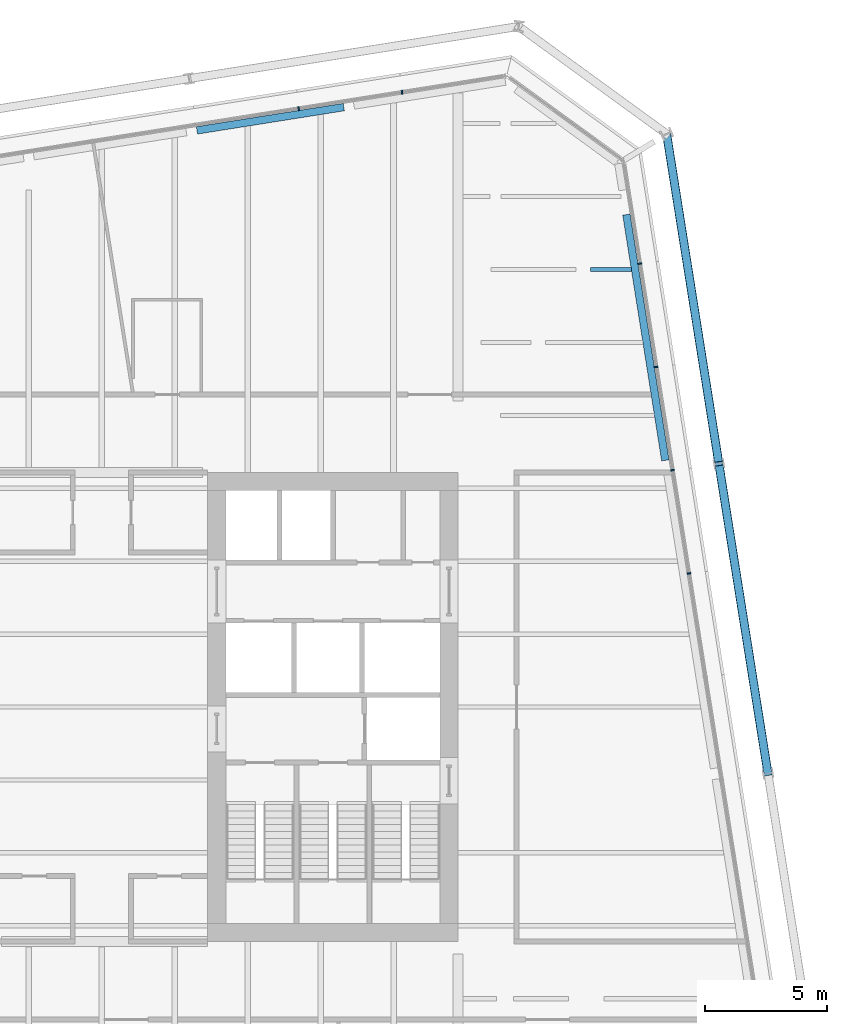
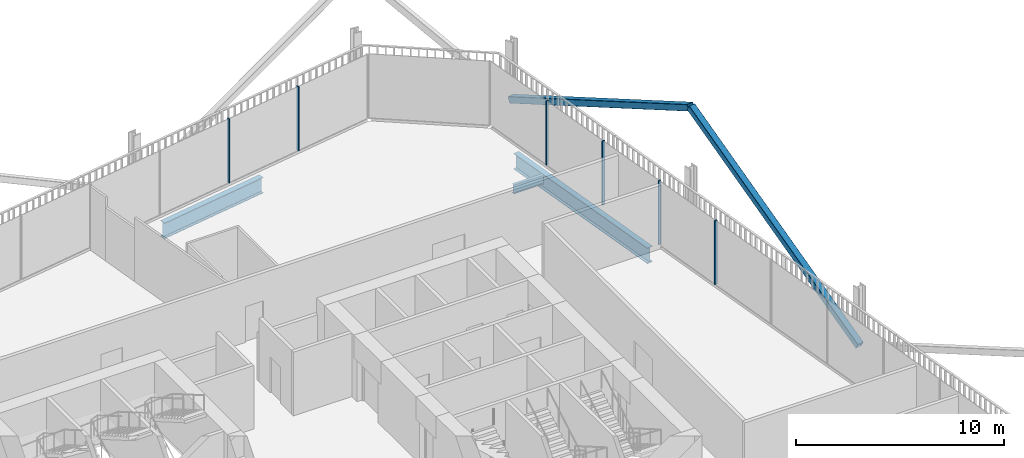
# One storey, part 12 of 19: 8 members, 3 beams, 2 elements without a shape of their own.
"""IFC4 building model written with IfcOpenShell, lengths in metres."""

from ifc_helpers import new_model, si_unit, direction, frame, origin, origin_2d, place, context, subcontext, project, spatial, rectangle, hollow_rectangle, i_section, extrude, material, layer, layer_set, material_profile, profile_set, type_object, element, aggregate, save


model = new_model("IFC4")

# Units and contexts
model_context = context("Model", 3, precision=1e-05, world=origin(), true_north=direction((0.0, 1.0)))
body_context = subcontext(model_context, "Body", "Model", "MODEL_VIEW")
ifc_project = project(units=[si_unit("LENGTHUNIT", "METRE"), si_unit("AREAUNIT", "SQUARE_METRE"), si_unit("VOLUMEUNIT", "CUBIC_METRE"), si_unit("PLANEANGLEUNIT", "RADIAN"), si_unit("MASSUNIT", "GRAM", prefix="KILO")], contexts=[model_context])

# Site, building, storey
site_placement = place(None, origin())
site = spatial("IfcSite", under=ifc_project, at=site_placement, CompositionType="ELEMENT")
building_placement = place(site_placement, origin())
building = spatial("IfcBuilding", under=site, at=building_placement, Name="Millrace Tower", CompositionType="ELEMENT")
storey_placement = place(building_placement, frame((0.0, 0.0, 129.5)))
storey = spatial("IfcBuildingStorey", under=building, at=storey_placement, Name="L28", CompositionType="ELEMENT", Elevation=129.5)

# Curtain wall, members
ifc_material_1 = material(Name="Aluminium and glass", Category="aluminium")
ifc_layer = layer(ifc_material_1, 0.14990234375)
ifc_layer_set = layer_set([ifc_layer], Name="Aluminium and glass")
curtain_wall_type = type_object("IfcCurtainWallType", Name="CW-1 office vision curtain wall", PredefinedType="NOTDEFINED", material=ifc_layer_set)
placement = place(storey_placement, origin())
curtain_wall_1 = element("IfcCurtainWall", 1, at=placement, inside=storey, type_object=curtain_wall_type, Name="Curtain wall C-F04 L28", PredefinedType="NOTDEFINED")
ifc_material_2 = material(Name="Aluminium", Category="aluminium")
ifc_material_profile_1 = material_profile(ifc_material_2, rectangle(XDim=0.06494140625, YDim=0.14990234375, at=origin_2d()))
ifc_profile_set_1 = profile_set([ifc_material_profile_1], Name="Aluminium")
member_type_1 = type_object("IfcMemberType", Name="CW-1 office vision curtain wall mullion", PredefinedType="MULLION", material=ifc_profile_set_1)
member_1_placement = place(storey_placement, frame((24.143310546875, 5.49365234375, 0.139892578125), z_axis=(0.0, 0.0, 1.0), x_axis=(-0.15643447328, 0.98768833929, 0.0)))
member_1 = element("IfcMember", 2, at=member_1_placement, type_object=member_type_1, Name="CW1 mullion C-F04.6", PredefinedType="MULLION", context=body_context, shape_type="SweptSolid", body=[
    extrude(rectangle(XDim=0.06494140625, YDim=0.14990234375, at=origin_2d()), origin(), (0.0, 0.0, 1.0), 3.760009765625),
])
member_2_placement = place(storey_placement, frame((23.470703125, 9.74072265625, 0.139892578125), z_axis=(0.0, 0.0, 1.0), x_axis=(-0.15643447328, 0.98768833929, 0.0)))
member_2 = element("IfcMember", 3, at=member_2_placement, type_object=member_type_1, Name="CW1 mullion C-F04.7", PredefinedType="MULLION", context=body_context, shape_type="SweptSolid", body=[
    extrude(rectangle(XDim=0.06494140625, YDim=0.14990234375, at=origin_2d()), origin(), (0.0, 0.0, 1.0), 3.760009765625),
])
member_3_placement = place(storey_placement, frame((22.798095703125, 13.98779296875, 0.139892578125), z_axis=(0.0, 0.0, 1.0), x_axis=(-0.15643447328, 0.98768833929, 0.0)))
member_3 = element("IfcMember", 4, at=member_3_placement, type_object=member_type_1, Name="CW1 mullion C-F04.8", PredefinedType="MULLION", context=body_context, shape_type="SweptSolid", body=[
    extrude(rectangle(XDim=0.06494140625, YDim=0.14990234375, at=origin_2d()), origin(), (0.0, 0.0, 1.0), 3.760009765625),
])
member_4_placement = place(storey_placement, frame((22.125244140625, 18.23486328125, 0.139892578125), z_axis=(0.0, 0.0, 1.0), x_axis=(-0.15643447328, 0.98768833929, 0.0)))
member_4 = element("IfcMember", 5, at=member_4_placement, type_object=member_type_1, Name="CW1 mullion C-F04.9", PredefinedType="MULLION", context=body_context, shape_type="SweptSolid", body=[
    extrude(rectangle(XDim=0.06494140625, YDim=0.14990234375, at=origin_2d()), origin(), (0.0, 0.0, 1.0), 3.760009765625),
])
aggregate(curtain_wall_1, [member_1, member_2, member_3, member_4])

curtain_wall_2 = element("IfcCurtainWall", 6, at=placement, inside=storey, type_object=curtain_wall_type, Name="Curtain wall C-F06 L28", PredefinedType="NOTDEFINED")
member_5_placement = place(storey_placement, frame((12.3447265625, 25.283935546875, 0.139892578125), z_axis=(0.0, 0.0, 1.0), x_axis=(-0.98768833929, -0.15643447328, 0.0)))
member_5 = element("IfcMember", 7, at=member_5_placement, type_object=member_type_1, Name="CW1 mullion C-F06.2", PredefinedType="MULLION", context=body_context, shape_type="SweptSolid", body=[
    extrude(rectangle(XDim=0.06494140625, YDim=0.14990234375, at=origin_2d()), origin(), (0.0, 0.0, 1.0), 3.760009765625),
])
member_6_placement = place(storey_placement, frame((8.09765625, 24.611328125, 0.139892578125), z_axis=(0.0, 0.0, 1.0), x_axis=(-0.98768833929, -0.15643447328, 0.0)))
member_6 = element("IfcMember", 8, at=member_6_placement, type_object=member_type_1, Name="CW1 mullion C-F06.3", PredefinedType="MULLION", context=body_context, shape_type="SweptSolid", body=[
    extrude(rectangle(XDim=0.06494140625, YDim=0.14990234375, at=origin_2d()), origin(), (0.0, 0.0, 1.0), 3.760009765625),
])
aggregate(curtain_wall_2, [member_5, member_6])

# Members
ifc_material_3 = material(Name="Steel ASTM A500 Grade C", Category="steel")
ifc_material_profile_2 = material_profile(ifc_material_3, hollow_rectangle(XDim=0.355712890625, YDim=0.355712890625, WallThickness=0.015869140625, InnerFilletRadius=0.008056640625, OuterFilletRadius=0.02392578125, at=origin_2d()))
ifc_profile_set_2 = profile_set([ifc_material_profile_2], Name="Steel ASTM A500 Grade C")
member_type_2 = type_object("IfcMemberType", Name="Exoskeleton brace HSS14x14x5/8", PredefinedType="BRACE", material=ifc_profile_set_2)
member_7_placement = place(storey_placement, frame((27.39501953125, -2.7314453125, 0.39990234375), z_axis=(-0.137499609887, 0.868113917345, 0.476940335673), x_axis=(-0.987687659758, -0.156438763615, 0.0)))
element("IfcMember", 9, at=member_7_placement, inside=storey, type_object=member_type_2, Name="BRC-C-L28-07", PredefinedType="BRACE", context=body_context, shape_type="SweptSolid", body=[
    extrude(hollow_rectangle(XDim=0.355712890625, YDim=0.355712890625, WallThickness=0.015869140625, InnerFilletRadius=0.008056640625, OuterFilletRadius=0.02392578125, at=origin_2d()), origin(), (0.0, 0.0, 1.0), 14.677001953125),
])
member_8_placement = place(storey_placement, frame((23.2294921875, 23.569091796875, 0.39990234375), z_axis=(0.139355372932, -0.879906554943, 0.454251620363), x_axis=(0.987689751328, 0.156425557764, 0.0)))
element("IfcMember", 10, at=member_8_placement, inside=storey, type_object=member_type_2, Name="BRC-C-L28-08", PredefinedType="BRACE", context=body_context, shape_type="SweptSolid", body=[
    extrude(hollow_rectangle(XDim=0.355712890625, YDim=0.355712890625, WallThickness=0.015869140625, InnerFilletRadius=0.008056640625, OuterFilletRadius=0.02392578125, at=origin_2d()), origin(), (0.0, 0.0, 1.0), 15.409912109375),
])

# Beams
ifc_material_4 = material(Name="Steel ASTM A992 Grade 50", Category="steel")
ifc_material_profile_3 = material_profile(ifc_material_4, i_section(OverallWidth=0.1650390625, OverallDepth=0.52587890625, WebThickness=0.0087890625, FlangeThickness=0.011474609375, FilletRadius=0.0126953125, at=origin_2d()))
ifc_profile_set_3 = profile_set([ifc_material_profile_3], Name="Steel ASTM A992 Grade 50")
beam_type_1 = type_object("IfcBeamType", Name="Floor beam W21x44", PredefinedType="JOIST", material=ifc_profile_set_3)
beam_1_placement = place(storey_placement, frame((20.097412109375, 18.0, -0.4228515625), z_axis=(1.0, 0.0, 0.0), x_axis=(0.0, 1.0, 0.0)))
element("IfcBeam", 11, at=beam_1_placement, inside=storey, type_object=beam_type_1, Name="BM-C-L28-S1-S036-b", PredefinedType="JOIST", context=body_context, shape_type="SweptSolid", body=[
    extrude(i_section(OverallWidth=0.1650390625, OverallDepth=0.52587890625, WebThickness=0.0087890625, FlangeThickness=0.011474609375, FilletRadius=0.0126953125, at=origin_2d()), origin(), (0.0, 0.0, 1.0), 1.677978515625),
])
ifc_material_5 = material(Name="Steel ASTM A992 Grade 50", Category="steel")
ifc_material_profile_4 = material_profile(ifc_material_5, i_section(OverallWidth=0.307373046875, OverallDepth=0.927001953125, WebThickness=0.01953125, FlangeThickness=0.031982421875, FilletRadius=0.01904296875, at=origin_2d()))
ifc_profile_set_4 = profile_set([ifc_material_profile_4], Name="Steel ASTM A992 Grade 50")
beam_type_2 = type_object("IfcBeamType", Name="Ring beam short span W36x194", PredefinedType="SPANDREL", material=ifc_profile_set_4)
beam_2_placement = place(storey_placement, frame((3.910400390625, 23.716552734375, -0.62353515625), z_axis=(0.987685808064, 0.156450453975, 0.0), x_axis=(-0.156450453975, 0.987685808064, 0.0)))
element("IfcBeam", 12, at=beam_2_placement, inside=storey, type_object=beam_type_2, Name="RNG-C-L28-S1-07-a", PredefinedType="SPANDREL", context=body_context, shape_type="SweptSolid", body=[
    extrude(i_section(OverallWidth=0.307373046875, OverallDepth=0.927001953125, WebThickness=0.01953125, FlangeThickness=0.031982421875, FilletRadius=0.01904296875, at=origin_2d()), origin(), (0.0, 0.0, 1.0), 6.115478515625),
])
beam_3_placement = place(storey_placement, frame((21.573974609375, 20.25341796875, -0.62353515625), z_axis=(0.15644282831, -0.987687015947, 0.0), x_axis=(0.987687015947, 0.15644282831, 0.0)))
element("IfcBeam", 13, at=beam_3_placement, inside=storey, type_object=beam_type_2, Name="RNG-C-L28-S1-09-b", PredefinedType="SPANDREL", context=body_context, shape_type="SweptSolid", body=[
    extrude(i_section(OverallWidth=0.307373046875, OverallDepth=0.927001953125, WebThickness=0.01953125, FlangeThickness=0.031982421875, FilletRadius=0.01904296875, at=origin_2d()), origin(), (0.0, 0.0, 1.0), 10.232666015625),
])

save(model, "model.ifc")
